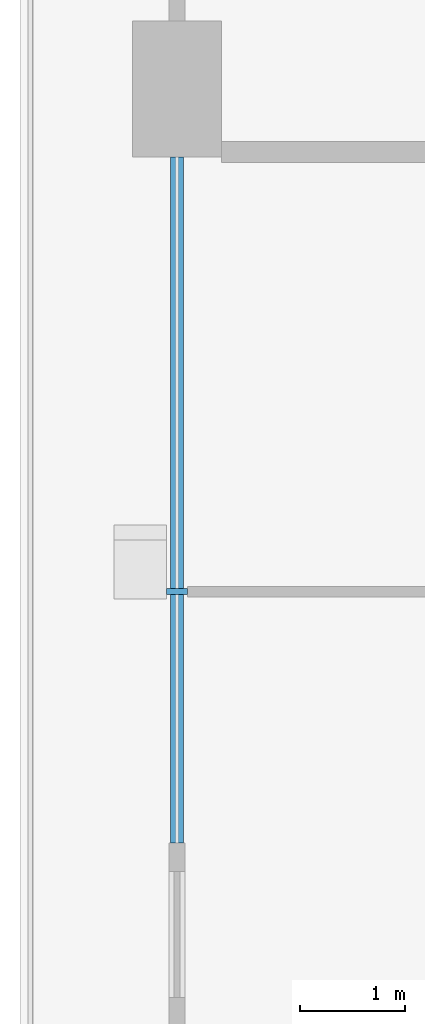
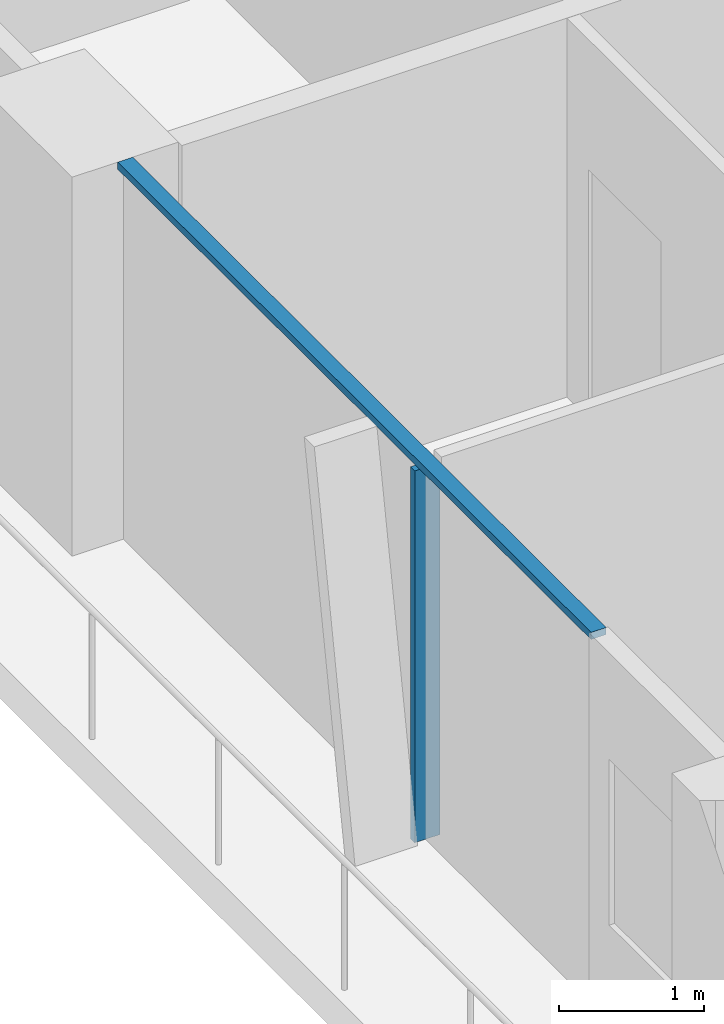
# One storey, part 3 of 22: 2 members, 1 element without a shape of its own.
"""IFC4 building model written with IfcOpenShell, lengths in metres."""

import ifcopenshell
import ifcopenshell.guid

model = None  # the IFC model being written
_history = None  # IfcOwnerHistory: only IFC2X3 demands one
_inside = {}  # id of a spatial element -> (the spatial element, [elements in it])
_under = {}  # id of a project, library or spatial element -> (it, [spatial elements below it])
_declared = {}  # id of a project -> (the project, [libraries it declares])
_typed = {}  # id of a type object -> (the type object, [elements of that type])
_made_of = {}  # id of a material, layer set ... -> (it, [elements and type objects made of it])


def new_model(schema):
    """Start an empty IFC model of exactly this schema.

    Asked for "IFC4X3", IfcOpenShell would pick the latest addendum, in which some entities
    have other attributes; the version numbers below select the first issue.
    IFC2X3 requires an IfcOwnerHistory on every rooted entity: one is made here for all.
    """
    global model, _history
    if schema == "IFC4X3":
        model = ifcopenshell.file(schema_version=(4, 3, 0, 0))
    else:
        model = ifcopenshell.file(schema=schema)
    _inside.clear()
    _under.clear()
    _declared.clear()
    _typed.clear()
    _made_of.clear()
    _history = None
    if model.schema == "IFC2X3":
        org = make("IfcOrganization", Name="unknown")
        user = make(
            "IfcPersonAndOrganization",
            ThePerson=make("IfcPerson", FamilyName="unknown"),
            TheOrganization=org,
        )
        app = make(
            "IfcApplication",
            ApplicationDeveloper=org,
            Version="unknown",
            ApplicationFullName="unknown",
            ApplicationIdentifier="unknown",
        )
        _history = make(
            "IfcOwnerHistory",
            OwningUser=user,
            OwningApplication=app,
            ChangeAction="ADDED",
            CreationDate=0,
        )
    return model


def make(cls, **values):
    """One entity of the class cls with the attributes given. An attribute that is None is left unset."""
    return model.create_entity(
        cls, **{name: value for name, value in values.items() if value is not None}
    )


def rooted(cls, **values):
    """An entity with a GlobalId (a new one), such as an element, a storey or a relation."""
    return make(cls, GlobalId=ifcopenshell.guid.new(), OwnerHistory=_history, **values)


def si_unit(unit_type, name, prefix=None):
    """IfcSIUnit, for example si_unit("LENGTHUNIT", "METRE", prefix="MILLI")."""
    return make("IfcSIUnit", UnitType=unit_type, Prefix=prefix, Name=name)


def assignment(units):
    """IfcUnitAssignment: the units of a project."""
    return None if units is None else make("IfcUnitAssignment", Units=units)


def point(xyz):
    """IfcCartesianPoint."""
    return None if xyz is None else make("IfcCartesianPoint", Coordinates=xyz)


def direction(xyz):
    """IfcDirection."""
    return None if xyz is None else make("IfcDirection", DirectionRatios=xyz)


def frame(location, z_axis=None, x_axis=None):
    """IfcAxis2Placement3D, a coordinate frame: its origin and axes. An axis left out is left unset."""
    return make(
        "IfcAxis2Placement3D",
        Location=point(location),
        Axis=direction(z_axis),
        RefDirection=direction(x_axis),
    )


def frame_2d(location, x_axis=None):
    """IfcAxis2Placement2D, a coordinate frame in the plane: its origin and x axis."""
    return make(
        "IfcAxis2Placement2D", Location=point(location), RefDirection=direction(x_axis)
    )


def origin():
    """The frame at (0, 0, 0) with its axes left unset."""
    return frame((0.0, 0.0, 0.0))


def origin_2d():
    """The frame at (0, 0) in the plane with its x axis left unset."""
    return frame_2d((0.0, 0.0))


def place(relative_to, where):
    """IfcLocalPlacement: puts the frame where relative to a parent placement (None: the world)."""
    return make(
        "IfcLocalPlacement", PlacementRelTo=relative_to, RelativePlacement=where
    )


def context(
    kind, dimensions, precision=None, world=None, true_north=None, identifier=None
):
    """IfcGeometricRepresentationContext, for example the 3D "Model" context."""
    return make(
        "IfcGeometricRepresentationContext",
        ContextIdentifier=identifier,
        ContextType=kind,
        CoordinateSpaceDimension=dimensions,
        Precision=precision,
        WorldCoordinateSystem=world,
        TrueNorth=true_north,
    )


def subcontext(parent, identifier, kind, view, scale=None):
    """IfcGeometricRepresentationSubContext, for example "Body" below "Model"."""
    return make(
        "IfcGeometricRepresentationSubContext",
        ContextIdentifier=identifier,
        ContextType=kind,
        ParentContext=parent,
        TargetScale=scale,
        TargetView=view,
    )


def project(units=None, contexts=None):
    """IfcProject with its units and contexts."""
    return rooted(
        "IfcProject",
        Name="project",
        RepresentationContexts=contexts,
        UnitsInContext=assignment(units),
    )


def spatial(cls, under=None, at=None, **own):
    """A site, building, storey or space (cls), placed at a placement, below another one or the project."""
    s = rooted(cls, ObjectPlacement=at, **own)
    if under is not None:
        _under.setdefault(under.id(), (under, []))[1].append(s)
    return s


def profile(cls, at=None, kind="AREA", **sizes):
    """A parametric profile (cls). Its sizes go by their IFC names, for example OverallWidth=200.0."""
    return make(cls, ProfileType=kind, Position=at, **sizes)


def rectangle(**sizes):
    """IfcRectangleProfileDef."""
    return profile("IfcRectangleProfileDef", **sizes)


def extrude(swept, where, along, depth):
    """IfcExtrudedAreaSolid: the profile swept, set in the frame where, extruded along a direction by depth."""
    return make(
        "IfcExtrudedAreaSolid",
        SweptArea=swept,
        Position=where,
        ExtrudedDirection=direction(along),
        Depth=depth,
    )


def shape(context_of_items, identifier, shape_type, items):
    """IfcShapeRepresentation: the items that make up one representation, for example the "Body"."""
    return make(
        "IfcShapeRepresentation",
        ContextOfItems=context_of_items,
        RepresentationIdentifier=identifier,
        RepresentationType=shape_type,
        Items=items,
    )


def material(Name=None, Category=None):
    """IfcMaterial."""
    return make("IfcMaterial", Name=Name, Category=Category)


def layer(
    of_material, thickness, ventilated=None, Name=None, Category=None, Priority=None
):
    """IfcMaterialLayer: one layer of a wall or slab, of a material (None: an air gap)."""
    return make(
        "IfcMaterialLayer",
        Material=of_material,
        LayerThickness=thickness,
        IsVentilated=ventilated,
        Name=Name,
        Category=Category,
        Priority=Priority,
    )


def layer_set(layers, Name=None):
    """IfcMaterialLayerSet."""
    return make("IfcMaterialLayerSet", MaterialLayers=layers, LayerSetName=Name)


def material_profile(
    of_material, cross_section, Name=None, Category=None, Priority=None
):
    """IfcMaterialProfile: a cross section and its material."""
    return make(
        "IfcMaterialProfile",
        Name=Name,
        Material=of_material,
        Profile=cross_section,
        Priority=Priority,
        Category=Category,
    )


def profile_set(profiles, Name=None, composite=None):
    """IfcMaterialProfileSet."""
    return make(
        "IfcMaterialProfileSet",
        Name=Name,
        MaterialProfiles=profiles,
        CompositeProfile=composite,
    )


def made_of(thing, what):
    """Note that an element or type object is made of a material, layer set ...; save() writes the relation."""
    if what is not None:
        _made_of.setdefault(what.id(), (what, []))[1].append(thing)
    return thing


def type_object(cls, material=None, **own):
    """A type object (cls), such as IfcWallType, which elements share."""
    return made_of(rooted(cls, **own), material)


def element(
    cls,
    number,
    at=None,
    inside=None,
    cuts=None,
    type_object=None,
    material=None,
    context=None,
    identifier="Body",
    shape_type=None,
    held_by="IfcProductDefinitionShape",
    body=None,
    shapes=None,
    **own,
):
    """One element of the class cls, such as IfcWall. Its Tag is "e" and its number.

    at: its placement. inside: the storey or other place that contains it. cuts: it is an
    opening in that element (IfcRelVoidsElement). A single representation is given by context,
    identifier, shape_type and body (its items); several are given by shapes. held_by: the class
    of the entity that holds the representations. save() writes the other relations.
    """
    e = rooted(cls, Tag="e%d" % number, ObjectPlacement=at, **own)
    if body is not None:
        shapes = [shape(context, identifier, shape_type, body)]
    if shapes is not None:
        e.Representation = make(held_by, Representations=shapes)
    if inside is not None:
        _inside.setdefault(inside.id(), (inside, []))[1].append(e)
    if cuts is not None:
        rooted(
            "IfcRelVoidsElement", RelatingBuildingElement=cuts, RelatedOpeningElement=e
        )
    if type_object is not None:
        _typed.setdefault(type_object.id(), (type_object, []))[1].append(e)
    return made_of(e, material)


def aggregate(whole, parts):
    """IfcRelAggregates: a whole, such as a stair, and the parts it consists of."""
    return rooted("IfcRelAggregates", RelatingObject=whole, RelatedObjects=parts)


def save(model, path):
    """Write the relations noted so far, then the file.

    IfcRelAggregates (storeys below a building ...), IfcRelContainedInSpatialStructure (elements
    in a storey), IfcRelDefinesByType, IfcRelAssociatesMaterial and IfcRelDeclares: one each for
    every whole, place, type object, material and project.
    """
    for whole, parts in _under.values():
        aggregate(whole, parts)
    for where, things in _inside.values():
        rooted(
            "IfcRelContainedInSpatialStructure",
            RelatedElements=things,
            RelatingStructure=where,
        )
    for kind, things in _typed.values():
        rooted("IfcRelDefinesByType", RelatedObjects=things, RelatingType=kind)
    for what, things in _made_of.values():
        rooted("IfcRelAssociatesMaterial", RelatedObjects=things, RelatingMaterial=what)
    for by, libraries in _declared.values():
        rooted("IfcRelDeclares", RelatingContext=by, RelatedDefinitions=libraries)
    model.write(path)


model = new_model("IFC4")

# Units and contexts
model_context = context("Model", 3, precision=1e-05, world=origin(), true_north=direction((0.0, 1.0)))
body_context = subcontext(model_context, "Body", "Model", "MODEL_VIEW")
ifc_project = project(units=[si_unit("LENGTHUNIT", "METRE"), si_unit("AREAUNIT", "SQUARE_METRE"), si_unit("VOLUMEUNIT", "CUBIC_METRE"), si_unit("PLANEANGLEUNIT", "RADIAN"), si_unit("MASSUNIT", "GRAM", prefix="KILO")], contexts=[model_context])

# Site, building, storey
site_placement = place(None, origin())
site = spatial("IfcSite", under=ifc_project, at=site_placement, CompositionType="ELEMENT")
building_placement = place(site_placement, origin())
building = spatial("IfcBuilding", under=site, at=building_placement, Name="Madar Terraces", CompositionType="ELEMENT")
storey_placement = place(building_placement, frame((0.0, 0.0, 99.699951171875)))
storey = spatial("IfcBuildingStorey", under=building, at=storey_placement, Name="L25", CompositionType="ELEMENT", Elevation=99.699951171875)

# Curtain wall, members
ifc_material_1 = material(Name="Glass, ceramic frit dark grey, with black aluminium frame", Category="aluminium")
ifc_layer = layer(ifc_material_1, 0.199951171875)
ifc_layer_set = layer_set([ifc_layer], Name="Facade curtain wall, fritted glass")
curtain_wall_type = type_object("IfcCurtainWallType", Name="Facade curtain wall, fritted glass", PredefinedType="NOTDEFINED", material=ifc_layer_set)
curtain_wall_placement = place(storey_placement, origin())
curtain_wall = element("IfcCurtainWall", 1, at=curtain_wall_placement, inside=storey, type_object=curtain_wall_type, Name="Outer skin curtain wall west bay 2", PredefinedType="NOTDEFINED")
ifc_material_2 = material(Name="Aluminium, black anodised", Category="aluminium")
ifc_material_profile_1 = material_profile(ifc_material_2, rectangle(XDim=0.199951171875, YDim=0.06005859375, at=origin_2d()), Name="Facade mullion 60x200")
ifc_profile_set_1 = profile_set([ifc_material_profile_1], Name="Aluminium, black anodised")
member_type_1 = type_object("IfcMemberType", Name="Facade mullion 60x200", PredefinedType="MULLION", material=ifc_profile_set_1)
member_1_placement = place(storey_placement, frame((4.800048828125, 33.60009765625, 0.0), z_axis=(0.0, 0.0, 1.0), x_axis=(1.0, 0.0, 0.0)))
member_1 = element("IfcMember", 2, at=member_1_placement, type_object=member_type_1, Name="Mullion 1", PredefinedType="MULLION", context=body_context, shape_type="SweptSolid", body=[
    extrude(rectangle(XDim=0.199951171875, YDim=0.06005859375, at=origin_2d()), origin(), (0.0, 0.0, 1.0), 3.14013671875),
])
ifc_material_3 = material(Name="Aluminium, black anodised", Category="aluminium")
ifc_material_profile_2 = material_profile(ifc_material_3, rectangle(XDim=0.1201171875, YDim=0.06005859375, at=origin_2d()), Name="Facade transom 60x120")
ifc_profile_set_2 = profile_set([ifc_material_profile_2], Name="Aluminium, black anodised")
member_type_2 = type_object("IfcMemberType", Name="Facade transom 60x120", PredefinedType="USERDEFINED", material=ifc_profile_set_2)
member_2_placement = place(storey_placement, frame((4.800048828125, 37.75, 3.170166015625), z_axis=(0.0, -1.0, 0.0), x_axis=(1.0, 0.0, 0.0)))
member_2 = element("IfcMember", 3, at=member_2_placement, type_object=member_type_2, Name="Transom 1", ObjectType="TRANSOM", PredefinedType="USERDEFINED", context=body_context, shape_type="SweptSolid", body=[
    extrude(rectangle(XDim=0.1201171875, YDim=0.06005859375, at=origin_2d()), origin(), (0.0, 0.0, 1.0), 6.550048828125),
])
aggregate(curtain_wall, [member_1, member_2])

save(model, "model.ifc")
